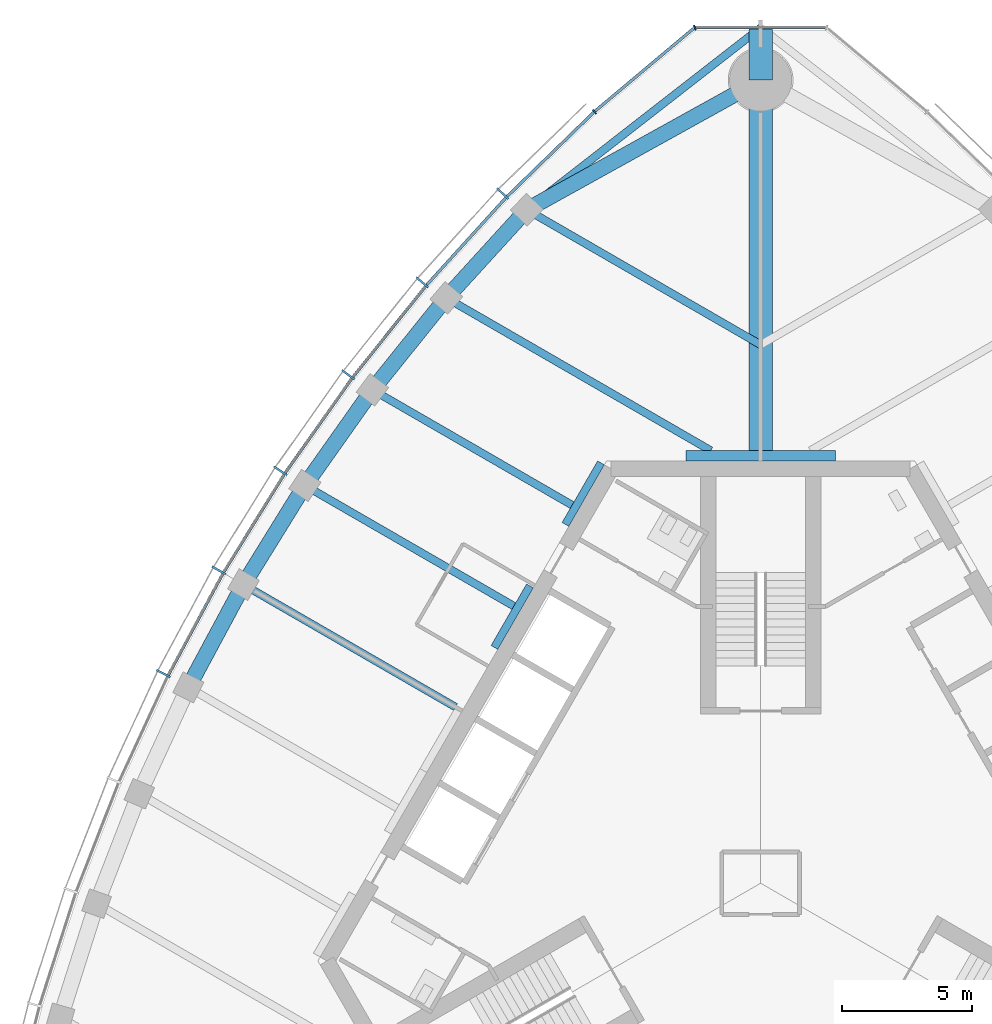
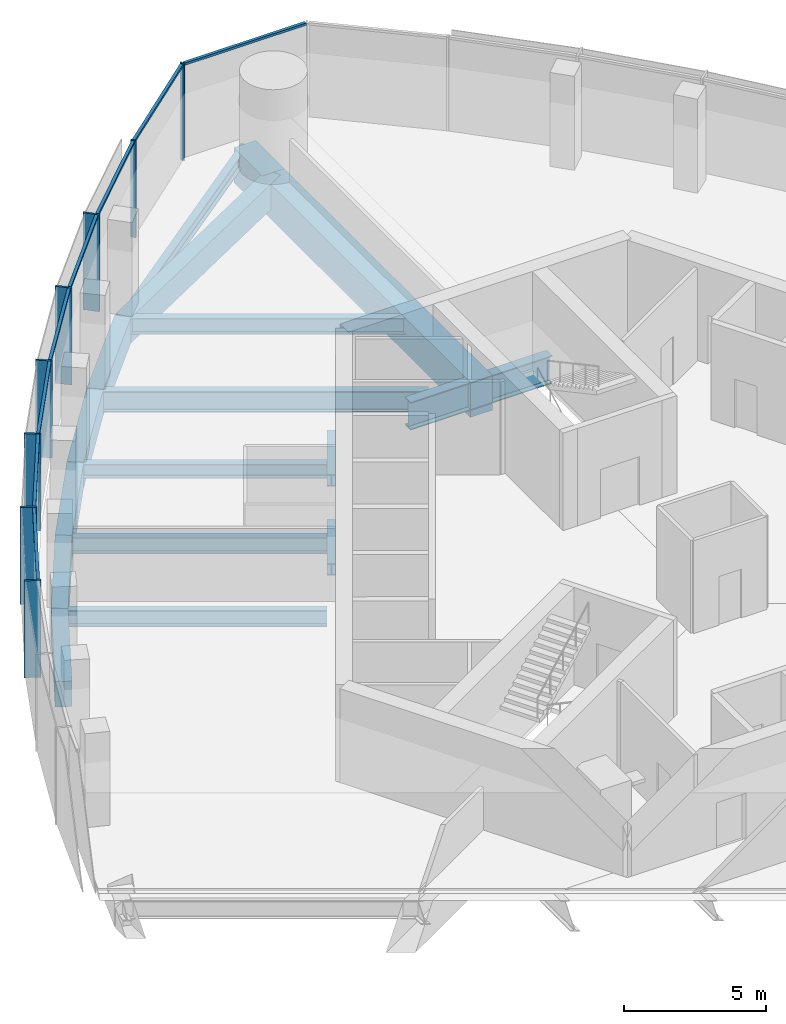
# One storey, part 5 of 16: 18 beams, 16 members, 2 elements without a shape of their own.
"""IFC4 building model written with IfcOpenShell, lengths in metres."""

import ifcopenshell
import ifcopenshell.guid

model = None  # the IFC model being written
_history = None  # IfcOwnerHistory: only IFC2X3 demands one
_inside = {}  # id of a spatial element -> (the spatial element, [elements in it])
_under = {}  # id of a project, library or spatial element -> (it, [spatial elements below it])
_declared = {}  # id of a project -> (the project, [libraries it declares])
_typed = {}  # id of a type object -> (the type object, [elements of that type])
_made_of = {}  # id of a material, layer set ... -> (it, [elements and type objects made of it])


def new_model(schema):
    """Start an empty IFC model of exactly this schema.

    Asked for "IFC4X3", IfcOpenShell would pick the latest addendum, in which some entities
    have other attributes; the version numbers below select the first issue.
    IFC2X3 requires an IfcOwnerHistory on every rooted entity: one is made here for all.
    """
    global model, _history
    if schema == "IFC4X3":
        model = ifcopenshell.file(schema_version=(4, 3, 0, 0))
    else:
        model = ifcopenshell.file(schema=schema)
    _inside.clear()
    _under.clear()
    _declared.clear()
    _typed.clear()
    _made_of.clear()
    _history = None
    if model.schema == "IFC2X3":
        org = make("IfcOrganization", Name="unknown")
        user = make(
            "IfcPersonAndOrganization",
            ThePerson=make("IfcPerson", FamilyName="unknown"),
            TheOrganization=org,
        )
        app = make(
            "IfcApplication",
            ApplicationDeveloper=org,
            Version="unknown",
            ApplicationFullName="unknown",
            ApplicationIdentifier="unknown",
        )
        _history = make(
            "IfcOwnerHistory",
            OwningUser=user,
            OwningApplication=app,
            ChangeAction="ADDED",
            CreationDate=0,
        )
    return model


def make(cls, **values):
    """One entity of the class cls with the attributes given. An attribute that is None is left unset."""
    return model.create_entity(
        cls, **{name: value for name, value in values.items() if value is not None}
    )


def rooted(cls, **values):
    """An entity with a GlobalId (a new one), such as an element, a storey or a relation."""
    return make(cls, GlobalId=ifcopenshell.guid.new(), OwnerHistory=_history, **values)


def si_unit(unit_type, name, prefix=None):
    """IfcSIUnit, for example si_unit("LENGTHUNIT", "METRE", prefix="MILLI")."""
    return make("IfcSIUnit", UnitType=unit_type, Prefix=prefix, Name=name)


def assignment(units):
    """IfcUnitAssignment: the units of a project."""
    return None if units is None else make("IfcUnitAssignment", Units=units)


def point(xyz):
    """IfcCartesianPoint."""
    return None if xyz is None else make("IfcCartesianPoint", Coordinates=xyz)


def direction(xyz):
    """IfcDirection."""
    return None if xyz is None else make("IfcDirection", DirectionRatios=xyz)


def frame(location, z_axis=None, x_axis=None):
    """IfcAxis2Placement3D, a coordinate frame: its origin and axes. An axis left out is left unset."""
    return make(
        "IfcAxis2Placement3D",
        Location=point(location),
        Axis=direction(z_axis),
        RefDirection=direction(x_axis),
    )


def frame_2d(location, x_axis=None):
    """IfcAxis2Placement2D, a coordinate frame in the plane: its origin and x axis."""
    return make(
        "IfcAxis2Placement2D", Location=point(location), RefDirection=direction(x_axis)
    )


def origin():
    """The frame at (0, 0, 0) with its axes left unset."""
    return frame((0.0, 0.0, 0.0))


def origin_2d():
    """The frame at (0, 0) in the plane with its x axis left unset."""
    return frame_2d((0.0, 0.0))


def place(relative_to, where):
    """IfcLocalPlacement: puts the frame where relative to a parent placement (None: the world)."""
    return make(
        "IfcLocalPlacement", PlacementRelTo=relative_to, RelativePlacement=where
    )


def context(
    kind, dimensions, precision=None, world=None, true_north=None, identifier=None
):
    """IfcGeometricRepresentationContext, for example the 3D "Model" context."""
    return make(
        "IfcGeometricRepresentationContext",
        ContextIdentifier=identifier,
        ContextType=kind,
        CoordinateSpaceDimension=dimensions,
        Precision=precision,
        WorldCoordinateSystem=world,
        TrueNorth=true_north,
    )


def subcontext(parent, identifier, kind, view, scale=None):
    """IfcGeometricRepresentationSubContext, for example "Body" below "Model"."""
    return make(
        "IfcGeometricRepresentationSubContext",
        ContextIdentifier=identifier,
        ContextType=kind,
        ParentContext=parent,
        TargetScale=scale,
        TargetView=view,
    )


def project(units=None, contexts=None):
    """IfcProject with its units and contexts."""
    return rooted(
        "IfcProject",
        Name="project",
        RepresentationContexts=contexts,
        UnitsInContext=assignment(units),
    )


def spatial(cls, under=None, at=None, **own):
    """A site, building, storey or space (cls), placed at a placement, below another one or the project."""
    s = rooted(cls, ObjectPlacement=at, **own)
    if under is not None:
        _under.setdefault(under.id(), (under, []))[1].append(s)
    return s


def profile(cls, at=None, kind="AREA", **sizes):
    """A parametric profile (cls). Its sizes go by their IFC names, for example OverallWidth=200.0."""
    return make(cls, ProfileType=kind, Position=at, **sizes)


def rectangle(**sizes):
    """IfcRectangleProfileDef."""
    return profile("IfcRectangleProfileDef", **sizes)


def i_section(**sizes):
    """IfcIShapeProfileDef."""
    return profile("IfcIShapeProfileDef", **sizes)


def extrude(swept, where, along, depth):
    """IfcExtrudedAreaSolid: the profile swept, set in the frame where, extruded along a direction by depth."""
    return make(
        "IfcExtrudedAreaSolid",
        SweptArea=swept,
        Position=where,
        ExtrudedDirection=direction(along),
        Depth=depth,
    )


def shape(context_of_items, identifier, shape_type, items):
    """IfcShapeRepresentation: the items that make up one representation, for example the "Body"."""
    return make(
        "IfcShapeRepresentation",
        ContextOfItems=context_of_items,
        RepresentationIdentifier=identifier,
        RepresentationType=shape_type,
        Items=items,
    )


def material(Name=None, Category=None):
    """IfcMaterial."""
    return make("IfcMaterial", Name=Name, Category=Category)


def material_profile(
    of_material, cross_section, Name=None, Category=None, Priority=None
):
    """IfcMaterialProfile: a cross section and its material."""
    return make(
        "IfcMaterialProfile",
        Name=Name,
        Material=of_material,
        Profile=cross_section,
        Priority=Priority,
        Category=Category,
    )


def profile_set(profiles, Name=None, composite=None):
    """IfcMaterialProfileSet."""
    return make(
        "IfcMaterialProfileSet",
        Name=Name,
        MaterialProfiles=profiles,
        CompositeProfile=composite,
    )


def made_of(thing, what):
    """Note that an element or type object is made of a material, layer set ...; save() writes the relation."""
    if what is not None:
        _made_of.setdefault(what.id(), (what, []))[1].append(thing)
    return thing


def type_object(cls, material=None, **own):
    """A type object (cls), such as IfcWallType, which elements share."""
    return made_of(rooted(cls, **own), material)


def element(
    cls,
    number,
    at=None,
    inside=None,
    cuts=None,
    type_object=None,
    material=None,
    context=None,
    identifier="Body",
    shape_type=None,
    held_by="IfcProductDefinitionShape",
    body=None,
    shapes=None,
    **own,
):
    """One element of the class cls, such as IfcWall. Its Tag is "e" and its number.

    at: its placement. inside: the storey or other place that contains it. cuts: it is an
    opening in that element (IfcRelVoidsElement). A single representation is given by context,
    identifier, shape_type and body (its items); several are given by shapes. held_by: the class
    of the entity that holds the representations. save() writes the other relations.
    """
    e = rooted(cls, Tag="e%d" % number, ObjectPlacement=at, **own)
    if body is not None:
        shapes = [shape(context, identifier, shape_type, body)]
    if shapes is not None:
        e.Representation = make(held_by, Representations=shapes)
    if inside is not None:
        _inside.setdefault(inside.id(), (inside, []))[1].append(e)
    if cuts is not None:
        rooted(
            "IfcRelVoidsElement", RelatingBuildingElement=cuts, RelatedOpeningElement=e
        )
    if type_object is not None:
        _typed.setdefault(type_object.id(), (type_object, []))[1].append(e)
    return made_of(e, material)


def aggregate(whole, parts):
    """IfcRelAggregates: a whole, such as a stair, and the parts it consists of."""
    return rooted("IfcRelAggregates", RelatingObject=whole, RelatedObjects=parts)


def save(model, path):
    """Write the relations noted so far, then the file.

    IfcRelAggregates (storeys below a building ...), IfcRelContainedInSpatialStructure (elements
    in a storey), IfcRelDefinesByType, IfcRelAssociatesMaterial and IfcRelDeclares: one each for
    every whole, place, type object, material and project.
    """
    for whole, parts in _under.values():
        aggregate(whole, parts)
    for where, things in _inside.values():
        rooted(
            "IfcRelContainedInSpatialStructure",
            RelatedElements=things,
            RelatingStructure=where,
        )
    for kind, things in _typed.values():
        rooted("IfcRelDefinesByType", RelatedObjects=things, RelatingType=kind)
    for what, things in _made_of.values():
        rooted("IfcRelAssociatesMaterial", RelatedObjects=things, RelatingMaterial=what)
    for by, libraries in _declared.values():
        rooted("IfcRelDeclares", RelatingContext=by, RelatedDefinitions=libraries)
    model.write(path)


model = new_model("IFC4")

# Units and contexts
model_context = context("Model", 3, precision=1e-05, world=origin(), true_north=direction((0.0, 1.0)))
body_context = subcontext(model_context, "Body", "Model", "MODEL_VIEW")
ifc_project = project(units=[si_unit("LENGTHUNIT", "METRE"), si_unit("AREAUNIT", "SQUARE_METRE"), si_unit("VOLUMEUNIT", "CUBIC_METRE"), si_unit("PLANEANGLEUNIT", "RADIAN"), si_unit("MASSUNIT", "GRAM", prefix="KILO")], contexts=[model_context])

# Site, building, storey
site_placement = place(None, origin())
site = spatial("IfcSite", under=ifc_project, at=site_placement, CompositionType="ELEMENT")
building_placement = place(site_placement, origin())
building = spatial("IfcBuilding", under=site, at=building_placement, Name="Trefoil Bronze Tower", CompositionType="ELEMENT")
storey_placement = place(building_placement, frame((0.0, 0.0, 318.300048828125)))
storey = spatial("IfcBuildingStorey", under=building, at=storey_placement, Name="L73", CompositionType="ELEMENT", Elevation=318.300048828125)

# Curtain wall, members
ifc_material_1 = material(Name="Tinted solar-control glass", Category="glass")
curtain_wall_type_1 = type_object("IfcCurtainWallType", Name="Bronze office curtain wall", PredefinedType="USERDEFINED", material=ifc_material_1)
curtain_wall_1_placement = place(storey_placement, origin())
curtain_wall_1 = element("IfcCurtainWall", 1, at=curtain_wall_1_placement, inside=storey, type_object=curtain_wall_type_1, Name="CW-A L73 F3", ObjectType="CURTAIN WALL", PredefinedType="USERDEFINED")
ifc_material_2 = material(Name="Bronze-finish aluminium", Category="aluminium")
ifc_material_profile_1 = material_profile(ifc_material_2, rectangle(XDim=0.60009765625, YDim=0.080078125, at=origin_2d()), Name="CW-A mullion")
ifc_profile_set_1 = profile_set([ifc_material_profile_1], Name="Bronze-finish aluminium")
member_type_1 = type_object("IfcMemberType", Name="Bronze office curtain wall mullion", PredefinedType="MULLION", material=ifc_profile_set_1)
member_1_placement = place(storey_placement, frame((-9.957275390625, 26.617431640625, 0.0), z_axis=(0.0, 0.0, 1.0), x_axis=(0.719001349715, -0.695008675564, 0.0)))
member_1 = element("IfcMember", 2, at=member_1_placement, type_object=member_type_1, Name="CW-A L73 F3 mullion 2", PredefinedType="MULLION", context=body_context, shape_type="SweptSolid", body=[
    extrude(rectangle(XDim=0.60009765625, YDim=0.080078125, at=origin_2d()), origin(), (0.0, 0.0, 1.0), 4.179931640625),
])
member_2_placement = place(storey_placement, frame((-13.064453125, 23.194091796875, 0.0), z_axis=(0.0, 0.0, 1.0), x_axis=(0.760781190165, -0.649008459646, 0.0)))
member_2 = element("IfcMember", 3, at=member_2_placement, type_object=member_type_1, Name="CW-A L73 F3 mullion 3", PredefinedType="MULLION", context=body_context, shape_type="SweptSolid", body=[
    extrude(rectangle(XDim=0.60009765625, YDim=0.080078125, at=origin_2d()), origin(), (0.0, 0.0, 1.0), 4.179931640625),
])
member_3_placement = place(storey_placement, frame((-15.922607421875, 19.627197265625, 0.0), z_axis=(0.0, 0.0, 1.0), x_axis=(0.799096076136, -0.601203344222, 0.0)))
member_3 = element("IfcMember", 4, at=member_3_placement, type_object=member_type_1, Name="CW-A L73 F3 mullion 4", PredefinedType="MULLION", context=body_context, shape_type="SweptSolid", body=[
    extrude(rectangle(XDim=0.60009765625, YDim=0.080078125, at=origin_2d()), origin(), (0.0, 0.0, 1.0), 4.179931640625),
])
member_4_placement = place(storey_placement, frame((-18.538330078125, 15.920166015625, 0.0), z_axis=(0.0, 0.0, 1.0), x_axis=(0.834159158089, -0.551523797289, 0.0)))
member_4 = element("IfcMember", 5, at=member_4_placement, type_object=member_type_1, Name="CW-A L73 F3 mullion 5", PredefinedType="MULLION", context=body_context, shape_type="SweptSolid", body=[
    extrude(rectangle(XDim=0.60009765625, YDim=0.080078125, at=origin_2d()), origin(), (0.0, 0.0, 1.0), 4.179931640625),
])
member_5_placement = place(storey_placement, frame((-20.916015625, 12.07568359375, 0.0), z_axis=(0.0, 0.0, 1.0), x_axis=(0.866025403784, -0.5, 0.0)))
member_5 = element("IfcMember", 6, at=member_5_placement, type_object=member_type_1, Name="CW-A L73 F3 mullion 6", PredefinedType="MULLION", context=body_context, shape_type="SweptSolid", body=[
    extrude(rectangle(XDim=0.60009765625, YDim=0.080078125, at=origin_2d()), origin(), (0.0, 0.0, 1.0), 4.179931640625),
])
member_6_placement = place(storey_placement, frame((-23.056396484375, 8.094482421875, 0.0), z_axis=(0.0, 0.0, 1.0), x_axis=(0.894713198289, -0.44664112306, 0.0)))
member_6 = element("IfcMember", 7, at=member_6_placement, type_object=member_type_1, Name="CW-A L73 F3 mullion 7", PredefinedType="MULLION", context=body_context, shape_type="SweptSolid", body=[
    extrude(rectangle(XDim=0.60009765625, YDim=0.080078125, at=origin_2d()), origin(), (0.0, 0.0, 1.0), 4.179931640625),
])
ifc_material_3 = material(Name="Bronze-finish aluminium", Category="aluminium")
ifc_material_profile_2 = material_profile(ifc_material_3, rectangle(XDim=0.1201171875, YDim=0.10009765625, at=origin_2d()), Name="CW-A transom")
ifc_profile_set_2 = profile_set([ifc_material_profile_2], Name="Bronze-finish aluminium")
member_type_2 = type_object("IfcMemberType", Name="Bronze office curtain wall transom", PredefinedType="USERDEFINED", material=ifc_profile_set_2)
member_7_placement = place(storey_placement, frame((-6.44921875, 29.7470703125, 4.1298828125), z_axis=(-0.717224617883, -0.696842053484, 0.0), x_axis=(0.696842053484, -0.717224617883, 0.0)))
member_7 = element("IfcMember", 8, at=member_7_placement, type_object=member_type_2, Name="CW-A L73 F3 transom 1", ObjectType="TRANSOM", PredefinedType="USERDEFINED", context=body_context, shape_type="SweptSolid", body=[
    extrude(rectangle(XDim=0.1201171875, YDim=0.10009765625, at=origin_2d()), origin(), (0.0, 0.0, 1.0), 4.6474609375),
])
member_8_placement = place(storey_placement, frame((-9.842529296875, 26.446533203125, 4.1298828125), z_axis=(-0.672068269674, -0.740489190264, 0.0), x_axis=(0.740489190264, -0.672068269674, 0.0)))
member_8 = element("IfcMember", 9, at=member_8_placement, type_object=member_type_2, Name="CW-A L73 F3 transom 2", ObjectType="TRANSOM", PredefinedType="USERDEFINED", context=body_context, shape_type="SweptSolid", body=[
    extrude(rectangle(XDim=0.1201171875, YDim=0.10009765625, at=origin_2d()), origin(), (0.0, 0.0, 1.0), 4.5244140625),
])
member_9_placement = place(storey_placement, frame((-12.939208984375, 23.03076171875, 4.1298828125), z_axis=(-0.625300648488, -0.780383943325, 0.0), x_axis=(0.780383943325, -0.625300648488, 0.0)))
member_9 = element("IfcMember", 10, at=member_9_placement, type_object=member_type_2, Name="CW-A L73 F3 transom 3", ObjectType="TRANSOM", PredefinedType="USERDEFINED", context=body_context, shape_type="SweptSolid", body=[
    extrude(rectangle(XDim=0.1201171875, YDim=0.10009765625, at=origin_2d()), origin(), (0.0, 0.0, 1.0), 4.472412109375),
])
member_10_placement = place(storey_placement, frame((-15.78759765625, 19.4716796875, 4.1298828125), z_axis=(-0.5765665752, -0.817050172488, 0.0), x_axis=(0.817050172488, -0.5765665752, 0.0)))
member_10 = element("IfcMember", 11, at=member_10_placement, type_object=member_type_2, Name="CW-A L73 F3 transom 4", ObjectType="TRANSOM", PredefinedType="USERDEFINED", context=body_context, shape_type="SweptSolid", body=[
    extrude(rectangle(XDim=0.1201171875, YDim=0.10009765625, at=origin_2d()), origin(), (0.0, 0.0, 1.0), 4.4384765625),
])
member_11_placement = place(storey_placement, frame((-18.394287109375, 15.7734375, 4.1298828125), z_axis=(-0.525978235299, -0.850498028212, 0.0), x_axis=(0.850498028212, -0.525978235299, 0.0)))
member_11 = element("IfcMember", 12, at=member_11_placement, type_object=member_type_2, Name="CW-A L73 F3 transom 5", ObjectType="TRANSOM", PredefinedType="USERDEFINED", context=body_context, shape_type="SweptSolid", body=[
    extrude(rectangle(XDim=0.1201171875, YDim=0.10009765625, at=origin_2d()), origin(), (0.0, 0.0, 1.0), 4.422119140625),
])
member_12_placement = place(storey_placement, frame((-20.76318359375, 11.93798828125, 4.1298828125), z_axis=(-0.473540024981, -0.880772300167, 0.0), x_axis=(0.880772300167, -0.473540024981, 0.0)))
member_12 = element("IfcMember", 13, at=member_12_placement, type_object=member_type_2, Name="CW-A L73 F3 transom 6", ObjectType="TRANSOM", PredefinedType="USERDEFINED", context=body_context, shape_type="SweptSolid", body=[
    extrude(rectangle(XDim=0.1201171875, YDim=0.10009765625, at=origin_2d()), origin(), (0.0, 0.0, 1.0), 4.422119140625),
])
aggregate(curtain_wall_1, [member_1, member_2, member_3, member_4, member_5, member_6, member_7, member_8, member_9, member_10, member_11, member_12])

ifc_material_4 = material(Name="Tinted solar-control glass", Category="glass")
curtain_wall_type_2 = type_object("IfcCurtainWallType", Name="Bronze rounded corner curtain wall", PredefinedType="USERDEFINED", material=ifc_material_4)
curtain_wall_2_placement = place(storey_placement, origin())
curtain_wall_2 = element("IfcCurtainWall", 14, at=curtain_wall_2_placement, inside=storey, type_object=curtain_wall_type_2, Name="CW-B L73 K2", ObjectType="CURTAIN WALL", PredefinedType="USERDEFINED")
ifc_material_5 = material(Name="Bronze-finish aluminium", Category="aluminium")
ifc_material_profile_3 = material_profile(ifc_material_5, rectangle(XDim=0.199951171875, YDim=0.06005859375, at=origin_2d()), Name="CW-B mullion")
ifc_profile_set_3 = profile_set([ifc_material_profile_3], Name="Bronze-finish aluminium")
member_type_3 = type_object("IfcMemberType", Name="Bronze rounded corner curtain wall mullion", PredefinedType="MULLION", material=ifc_profile_set_3)
member_13_placement = place(storey_placement, frame((-2.542236328125, 33.021484375, 0.0), z_axis=(0.0, 0.0, 1.0), x_axis=(0.342020143326, -0.939692620786, 0.0)))
member_13 = element("IfcMember", 15, at=member_13_placement, type_object=member_type_3, Name="CW-B L73 K2 mullion 3", PredefinedType="MULLION", context=body_context, shape_type="SweptSolid", body=[
    extrude(rectangle(XDim=0.199951171875, YDim=0.06005859375, at=origin_2d()), origin(), (0.0, 0.0, 1.0), 4.179931640625),
])
member_14_placement = place(storey_placement, frame((-6.4150390625, 29.77978515625, 0.0), z_axis=(0.0, 0.0, 1.0), x_axis=(0.642787609687, -0.766044443119, 0.0)))
member_14 = element("IfcMember", 16, at=member_14_placement, type_object=member_type_3, Name="CW-B L73 K2 mullion 4", PredefinedType="MULLION", context=body_context, shape_type="SweptSolid", body=[
    extrude(rectangle(XDim=0.199951171875, YDim=0.06005859375, at=origin_2d()), origin(), (0.0, 0.0, 1.0), 4.179931640625),
])
ifc_material_6 = material(Name="Bronze-finish aluminium", Category="aluminium")
ifc_material_profile_4 = material_profile(ifc_material_6, rectangle(XDim=0.1201171875, YDim=0.10009765625, at=origin_2d()), Name="CW-B transom")
ifc_profile_set_4 = profile_set([ifc_material_profile_4], Name="Bronze-finish aluminium")
member_type_4 = type_object("IfcMemberType", Name="Bronze rounded corner curtain wall transom", PredefinedType="USERDEFINED", material=ifc_profile_set_4)
member_15_placement = place(storey_placement, frame((2.47802734375, 33.027587890625, 4.1298828125), z_axis=(-1.0, 0.0, 0.0), x_axis=(0.0, -1.0, 0.0)))
member_15 = element("IfcMember", 17, at=member_15_placement, type_object=member_type_4, Name="CW-B L73 K2 transom 2", ObjectType="TRANSOM", PredefinedType="USERDEFINED", context=body_context, shape_type="SweptSolid", body=[
    extrude(rectangle(XDim=0.1201171875, YDim=0.10009765625, at=origin_2d()), origin(), (0.0, 0.0, 1.0), 4.9560546875),
])
member_16_placement = place(storey_placement, frame((-2.595458984375, 32.98486328125, 4.1298828125), z_axis=(-0.766040522511, -0.642792282056, 0.0), x_axis=(0.642792282056, -0.766040522511, 0.0)))
member_16 = element("IfcMember", 18, at=member_16_placement, type_object=member_type_4, Name="CW-B L73 K2 transom 3", ObjectType="TRANSOM", PredefinedType="USERDEFINED", context=body_context, shape_type="SweptSolid", body=[
    extrude(rectangle(XDim=0.1201171875, YDim=0.10009765625, at=origin_2d()), origin(), (0.0, 0.0, 1.0), 4.9560546875),
])
aggregate(curtain_wall_2, [member_13, member_14, member_15, member_16])

# Beams
ifc_material_7 = material(Name="Steel C355", Category="steel")
ifc_material_profile_5 = material_profile(ifc_material_7, i_section(OverallWidth=0.300048828125, OverallDepth=0.5, WebThickness=0.014404296875, FlangeThickness=0.028076171875, FilletRadius=0.027099609375, at=origin_2d()), Name="HEB 500")
ifc_profile_set_5 = profile_set([ifc_material_profile_5], Name="Steel C355")
beam_type_1 = type_object("IfcBeamType", Name="Core seat beam HEB 500", PredefinedType="BEAM", material=ifc_profile_set_5)
for number, where, z_axis, x_axis, name in (
    (19, (-6.163330078125, 16.22509765625, -0.449951171875), (-0.499969057507, -0.866043267704, 0.0), (0.866043267704, -0.499969057507, 0.0), "Core seat beam F3/-2 L73"),
    (20, (-8.905517578125, 11.47509765625, -0.449951171875), (-0.500035825175, -0.866004719122, 0.0), (0.866004719122, -0.500035825175, 0.0), "Core seat beam F3/-1 L73"),
):
    element("IfcBeam", number, at=place(storey_placement, frame(where, z_axis=z_axis, x_axis=x_axis)), inside=storey, type_object=beam_type_1, Name=name, PredefinedType="BEAM", context=body_context, shape_type="SweptSolid", body=[
        extrude(i_section(OverallWidth=0.300048828125, OverallDepth=0.5, WebThickness=0.014404296875, FlangeThickness=0.028076171875, FilletRadius=0.027099609375, at=origin_2d()), origin(), (0.0, 0.0, 1.0), 2.742431640625),
    ])
ifc_material_8 = material(Name="Steel C355", Category="steel")
ifc_material_profile_6 = material_profile(ifc_material_8, i_section(OverallWidth=0.39990234375, OverallDepth=1.199951171875, WebThickness=0.02001953125, FlangeThickness=0.0400390625, FilletRadius=0.010009765625, at=origin_2d()), Name="WPG 1200")
ifc_profile_set_6 = profile_set([ifc_material_profile_6], Name="Steel C355")
beam_type_2 = type_object("IfcBeamType", Name="Core seat beam WPG 1200", PredefinedType="BEAM", material=ifc_profile_set_6)
for number, where, z_axis, x_axis, name in (
    (21, (2.88671875, 16.5, -0.800048828125), (-1.0, 0.0, 0.0), (0.0, -1.0, 0.0), "Core seat beam F2/+3 L73"),
    (22, (0.0, 16.5, -0.800048828125), (-1.0, 0.0, 0.0), (0.0, -1.0, 0.0), "Core seat beam F3/-3 L73"),
):
    element("IfcBeam", number, at=place(storey_placement, frame(where, z_axis=z_axis, x_axis=x_axis)), inside=storey, type_object=beam_type_2, Name=name, PredefinedType="BEAM", context=body_context, shape_type="SweptSolid", body=[
        extrude(i_section(OverallWidth=0.39990234375, OverallDepth=1.199951171875, WebThickness=0.02001953125, FlangeThickness=0.0400390625, FilletRadius=0.010009765625, at=origin_2d()), origin(), (0.0, 0.0, 1.0), 2.88671875),
    ])
ifc_material_9 = material(Name="Concrete B80", Category="concrete")
ifc_material_profile_7 = material_profile(ifc_material_9, rectangle(XDim=0.89990234375, YDim=1.5, at=origin_2d()), Name="RC 900x1500")
ifc_profile_set_7 = profile_set([ifc_material_profile_7], Name="Concrete B80")
beam_type_3 = type_object("IfcBeamType", Name="Corner cantilever RC 900x1500", PredefinedType="BEAM", material=ifc_profile_set_7)
beam_1_placement = place(storey_placement, frame((0.0, 31.0, -0.949951171875), z_axis=(0.0, 1.0, 0.0), x_axis=(-1.0, 0.0, 0.0)))
element("IfcBeam", 23, at=beam_1_placement, inside=storey, type_object=beam_type_3, Name="Corner cantilever K2 L73", PredefinedType="BEAM", context=body_context, shape_type="SweptSolid", body=[
    extrude(rectangle(XDim=0.89990234375, YDim=1.5, at=origin_2d()), origin(), (0.0, 0.0, 1.0), 2.019775390625),
])
ifc_material_10 = material(Name="Steel C355", Category="steel")
ifc_material_profile_8 = material_profile(ifc_material_10, i_section(OverallWidth=0.300048828125, OverallDepth=0.60009765625, WebThickness=0.015380859375, FlangeThickness=0.030029296875, FilletRadius=0.027099609375, at=origin_2d()), Name="HEB 600")
ifc_profile_set_8 = profile_set([ifc_material_profile_8], Name="Steel C355")
beam_type_4 = type_object("IfcBeamType", Name="Corner edge beam HEB 600", PredefinedType="BEAM", material=ifc_profile_set_8)
beam_2_placement = place(storey_placement, frame((-9.02734375, 25.99658203125, -0.5), z_axis=(0.789270604977, 0.614045529354, 0.0), x_axis=(-0.614045529354, 0.789270604977, 0.0)))
element("IfcBeam", 24, at=beam_2_placement, inside=storey, type_object=beam_type_4, Name="Corner edge beam F3B L73", PredefinedType="BEAM", context=body_context, shape_type="SweptSolid", body=[
    extrude(i_section(OverallWidth=0.300048828125, OverallDepth=0.60009765625, WebThickness=0.015380859375, FlangeThickness=0.030029296875, FilletRadius=0.027099609375, at=origin_2d()), origin(), (0.0, 0.0, 1.0), 11.4375),
])
ifc_material_11 = material(Name="Concrete B80", Category="concrete")
ifc_material_profile_9 = material_profile(ifc_material_11, rectangle(XDim=0.89990234375, YDim=1.5, at=origin_2d()), Name="RC 900x1500")
ifc_profile_set_9 = profile_set([ifc_material_profile_9], Name="Concrete B80")
beam_type_5 = type_object("IfcBeamType", Name="Corner girder RC 900x1500", PredefinedType="BEAM", material=ifc_profile_set_9)
beam_3_placement = place(storey_placement, frame((0.0, 16.300048828125, -0.949951171875), z_axis=(0.0, 1.0, 0.0), x_axis=(-1.0, 0.0, 0.0)))
element("IfcBeam", 25, at=beam_3_placement, inside=storey, type_object=beam_type_5, Name="Corner girder K2 L73", PredefinedType="BEAM", context=body_context, shape_type="SweptSolid", body=[
    extrude(rectangle(XDim=0.89990234375, YDim=1.5, at=origin_2d()), origin(), (0.0, 0.0, 1.0), 14.699951171875),
])
ifc_material_12 = material(Name="Concrete B80", Category="concrete")
ifc_material_profile_10 = material_profile(ifc_material_12, rectangle(XDim=0.60009765625, YDim=1.10009765625, at=origin_2d()), Name="RC 600x1100")
ifc_profile_set_10 = profile_set([ifc_material_profile_10], Name="Concrete B80")
beam_type_6 = type_object("IfcBeamType", Name="End spandrel beam RC 600x1100", PredefinedType="SPANDREL", material=ifc_profile_set_10)
beam_4_placement = place(storey_placement, frame((0.0, 31.0, -0.75), z_axis=(-0.874641085074, -0.484771051426, 0.0), x_axis=(0.484771051426, -0.874641085074, 0.0)))
element("IfcBeam", 26, at=beam_4_placement, inside=storey, type_object=beam_type_6, Name="Spandrel F3.1 L73", PredefinedType="SPANDREL", context=body_context, shape_type="SweptSolid", body=[
    extrude(rectangle(XDim=0.60009765625, YDim=1.10009765625, at=origin_2d()), origin(), (0.0, 0.0, 1.0), 10.3212890625),
])
ifc_material_13 = material(Name="Steel C355", Category="steel")
ifc_material_profile_11 = material_profile(ifc_material_13, i_section(OverallWidth=0.300048828125, OverallDepth=0.60009765625, WebThickness=0.015380859375, FlangeThickness=0.030029296875, FilletRadius=0.027099609375, at=origin_2d()), Name="HEB 600")
ifc_profile_set_11 = profile_set([ifc_material_profile_11], Name="Steel C355")
beam_type_7 = type_object("IfcBeamType", Name="Floor beam HEB 600", PredefinedType="BEAM", material=ifc_profile_set_11)
beam_5_placement = place(storey_placement, frame((-14.98486328125, 19.043701171875, -0.5), z_axis=(0.866034827411, -0.499983677445, 0.0), x_axis=(0.499983677445, 0.866034827411, 0.0)))
element("IfcBeam", 27, at=beam_5_placement, inside=storey, type_object=beam_type_7, Name="Floor beam F3/-2 L73", PredefinedType="BEAM", context=body_context, shape_type="SweptSolid", body=[
    extrude(i_section(OverallWidth=0.300048828125, OverallDepth=0.60009765625, WebThickness=0.015380859375, FlangeThickness=0.030029296875, FilletRadius=0.027099609375, at=origin_2d()), origin(), (0.0, 0.0, 1.0), 8.899169921875),
])
ifc_material_14 = material(Name="Steel C355", Category="steel")
ifc_material_profile_12 = material_profile(ifc_material_14, i_section(OverallWidth=0.300048828125, OverallDepth=0.699951171875, WebThickness=0.01708984375, FlangeThickness=0.031982421875, FilletRadius=0.027099609375, at=origin_2d()), Name="HEB 700")
ifc_profile_set_12 = profile_set([ifc_material_profile_12], Name="Steel C355")
beam_type_8 = type_object("IfcBeamType", Name="Floor beam HEB 700", PredefinedType="BEAM", material=ifc_profile_set_12)
beam_6_placement = place(storey_placement, frame((-9.02734375, 25.99658203125, -0.550048828125), z_axis=(0.866026453994, -0.499998180979, 0.0), x_axis=(0.499998180979, 0.866026453994, 0.0)))
element("IfcBeam", 28, at=beam_6_placement, inside=storey, type_object=beam_type_8, Name="Floor beam F3/-4 L73", PredefinedType="BEAM", context=body_context, shape_type="SweptSolid", body=[
    extrude(i_section(OverallWidth=0.300048828125, OverallDepth=0.699951171875, WebThickness=0.01708984375, FlangeThickness=0.031982421875, FilletRadius=0.027099609375, at=origin_2d()), origin(), (0.0, 0.0, 1.0), 10.423828125),
])
beam_7_placement = place(storey_placement, frame((-17.593994140625, 15.35400390625, -0.550048828125), z_axis=(0.866026261222, -0.499998514871, 0.0), x_axis=(0.499998514871, 0.866026261222, 0.0)))
element("IfcBeam", 29, at=beam_7_placement, inside=storey, type_object=beam_type_8, Name="Floor beam F3/-1 L73", PredefinedType="BEAM", context=body_context, shape_type="SweptSolid", body=[
    extrude(i_section(OverallWidth=0.300048828125, OverallDepth=0.699951171875, WebThickness=0.01708984375, FlangeThickness=0.031982421875, FilletRadius=0.027099609375, at=origin_2d()), origin(), (0.0, 0.0, 1.0), 9.31396484375),
])
beam_8_placement = place(storey_placement, frame((-19.96337890625, 11.52587890625, -0.550048828125), z_axis=(0.866029875693, -0.499992254348, 0.0), x_axis=(0.499992254348, 0.866029875693, 0.0)))
element("IfcBeam", 30, at=beam_8_placement, inside=storey, type_object=beam_type_8, Name="Floor beam F3/+0 L73", PredefinedType="BEAM", context=body_context, shape_type="SweptSolid", body=[
    extrude(i_section(OverallWidth=0.300048828125, OverallDepth=0.699951171875, WebThickness=0.01708984375, FlangeThickness=0.031982421875, FilletRadius=0.027099609375, at=origin_2d()), origin(), (0.0, 0.0, 1.0), 9.451904296875),
])
ifc_material_15 = material(Name="Steel C355", Category="steel")
ifc_material_profile_13 = material_profile(ifc_material_15, i_section(OverallWidth=0.300048828125, OverallDepth=0.89990234375, WebThickness=0.0185546875, FlangeThickness=0.034912109375, FilletRadius=0.030029296875, at=origin_2d()), Name="HEB 900")
ifc_profile_set_13 = profile_set([ifc_material_profile_13], Name="Steel C355")
beam_type_9 = type_object("IfcBeamType", Name="Floor beam HEB 900", PredefinedType="BEAM", material=ifc_profile_set_13)
beam_9_placement = place(storey_placement, frame((-12.131591796875, 22.5927734375, -0.650146484375), z_axis=(0.866017581749, -0.500013547917, 0.0), x_axis=(0.500013547917, 0.866017581749, 0.0)))
element("IfcBeam", 31, at=beam_9_placement, inside=storey, type_object=beam_type_9, Name="Floor beam F3/-3 L73", PredefinedType="BEAM", context=body_context, shape_type="SweptSolid", body=[
    extrude(i_section(OverallWidth=0.300048828125, OverallDepth=0.89990234375, WebThickness=0.0185546875, FlangeThickness=0.034912109375, FilletRadius=0.030029296875, at=origin_2d()), origin(), (0.0, 0.0, 1.0), 11.785400390625),
])
ifc_material_16 = material(Name="Concrete B80", Category="concrete")
ifc_material_profile_14 = material_profile(ifc_material_16, rectangle(XDim=0.60009765625, YDim=1.10009765625, at=origin_2d()), Name="RC 600x1100")
ifc_profile_set_14 = profile_set([ifc_material_profile_14], Name="Concrete B80")
beam_type_10 = type_object("IfcBeamType", Name="Spandrel beam RC 600x1100", PredefinedType="SPANDREL", material=ifc_profile_set_14)
beam_10_placement = place(storey_placement, frame((-9.02734375, 25.99658203125, -0.75), z_axis=(-0.673845775847, -0.738872025707, 0.0), x_axis=(0.738872025707, -0.673845775847, 0.0)))
element("IfcBeam", 32, at=beam_10_placement, inside=storey, type_object=beam_type_10, Name="Spandrel F3.2 L73", PredefinedType="SPANDREL", context=body_context, shape_type="SweptSolid", body=[
    extrude(rectangle(XDim=0.60009765625, YDim=1.10009765625, at=origin_2d()), origin(), (0.0, 0.0, 1.0), 4.606689453125),
])
beam_11_placement = place(storey_placement, frame((-12.131591796875, 22.5927734375, -0.75), z_axis=(-0.626569682592, -0.779365403939, 0.0), x_axis=(0.779365403939, -0.626569682592, 0.0)))
element("IfcBeam", 33, at=beam_11_placement, inside=storey, type_object=beam_type_10, Name="Spandrel F3.3 L73", PredefinedType="SPANDREL", context=body_context, shape_type="SweptSolid", body=[
    extrude(rectangle(XDim=0.60009765625, YDim=1.10009765625, at=origin_2d()), origin(), (0.0, 0.0, 1.0), 4.5537109375),
])
beam_12_placement = place(storey_placement, frame((-14.98486328125, 19.043701171875, -0.75), z_axis=(-0.577368105169, -0.816483968693, 0.0), x_axis=(0.816483968693, -0.577368105169, 0.0)))
element("IfcBeam", 34, at=beam_12_placement, inside=storey, type_object=beam_type_10, Name="Spandrel F3.4 L73", PredefinedType="SPANDREL", context=body_context, shape_type="SweptSolid", body=[
    extrude(rectangle(XDim=0.60009765625, YDim=1.10009765625, at=origin_2d()), origin(), (0.0, 0.0, 1.0), 4.51904296875),
])
beam_13_placement = place(storey_placement, frame((-17.593994140625, 15.35400390625, -0.75), z_axis=(-0.526289271956, -0.850305593433, 0.0), x_axis=(0.850305593433, -0.526289271956, 0.0)))
element("IfcBeam", 35, at=beam_13_placement, inside=storey, type_object=beam_type_10, Name="Spandrel F3.5 L73", PredefinedType="SPANDREL", context=body_context, shape_type="SweptSolid", body=[
    extrude(rectangle(XDim=0.60009765625, YDim=1.10009765625, at=origin_2d()), origin(), (0.0, 0.0, 1.0), 4.501953125),
])
beam_14_placement = place(storey_placement, frame((-19.96337890625, 11.52587890625, -0.75), z_axis=(-0.473245885676, -0.880930378458, 0.0), x_axis=(0.880930378458, -0.473245885676, 0.0)))
element("IfcBeam", 36, at=beam_14_placement, inside=storey, type_object=beam_type_10, Name="Spandrel F3.6 L73", PredefinedType="SPANDREL", context=body_context, shape_type="SweptSolid", body=[
    extrude(rectangle(XDim=0.60009765625, YDim=1.10009765625, at=origin_2d()), origin(), (0.0, 0.0, 1.0), 4.502197265625),
])

save(model, "model.ifc")
